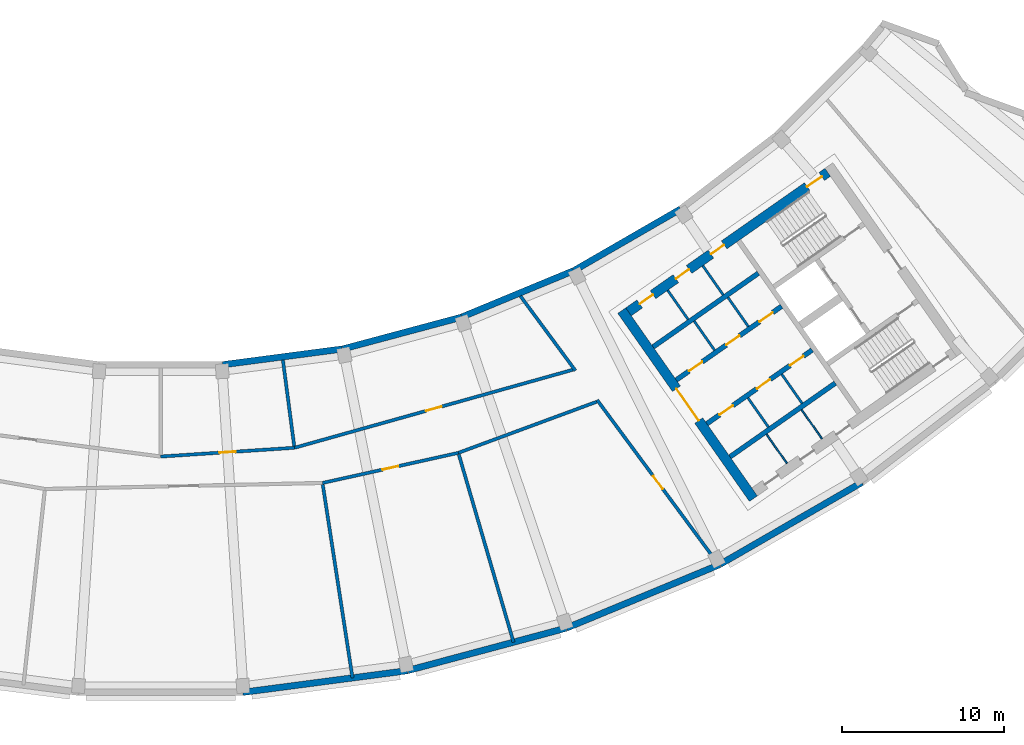
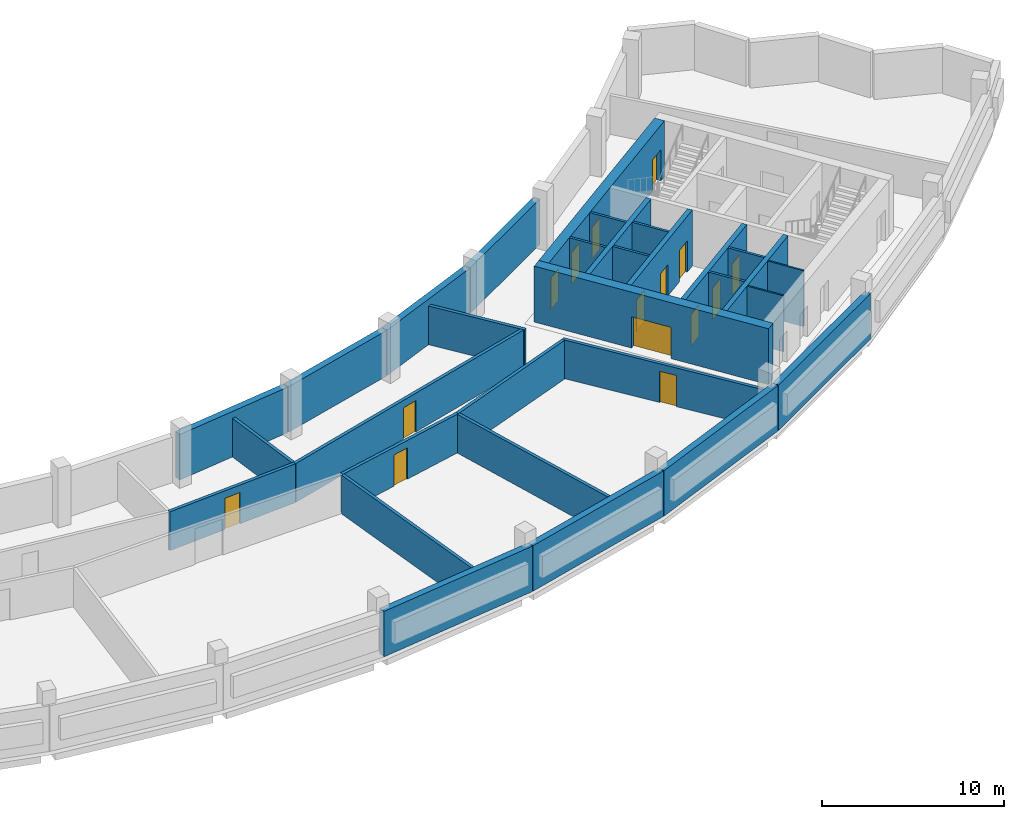
# One storey, part 5 of 11: 31 walls, 15 doors, 15 openings.
"""IFC4 building model written with IfcOpenShell, lengths in metres."""

from ifc_helpers import new_model, si_unit, direction, frame, frame_2d, origin, place, context, subcontext, project, spatial, rectangle, extrude, material, layer, layer_set, type_object, element, fill, save


model = new_model("IFC4")

# Units and contexts
model_context = context("Model", 3, precision=1e-05, world=origin(), true_north=direction((0.0, 1.0)))
body_context = subcontext(model_context, "Body", "Model", "MODEL_VIEW")
ifc_project = project(units=[si_unit("LENGTHUNIT", "METRE"), si_unit("AREAUNIT", "SQUARE_METRE"), si_unit("VOLUMEUNIT", "CUBIC_METRE"), si_unit("PLANEANGLEUNIT", "RADIAN"), si_unit("MASSUNIT", "GRAM", prefix="KILO")], contexts=[model_context])

# Site, building, storey
site_placement = place(None, origin())
site = spatial("IfcSite", under=ifc_project, at=site_placement, CompositionType="ELEMENT")
building_placement = place(site_placement, origin())
building = spatial("IfcBuilding", under=site, at=building_placement, Name="Qamariyya Broadcast Tower", CompositionType="ELEMENT")
storey_placement = place(building_placement, frame((0.0, 0.0, 302.699951171875)))
storey = spatial("IfcBuildingStorey", under=building, at=storey_placement, Name="L73", CompositionType="ELEMENT", Elevation=302.699951171875)

# Wall, opening, door
ifc_material_1 = material(Name="Concrete C60/75", Category="concrete")
ifc_layer_1 = layer(ifc_material_1, 0.60009765625)
ifc_layer_set_1 = layer_set([ifc_layer_1], Name="Core wall 600 mm Concrete C60/75")
wall_type_1 = type_object("IfcWallType", Name="Core wall 600 mm Concrete C60/75", PredefinedType="SHEAR", material=ifc_layer_set_1)
wall_1_placement = place(storey_placement, frame((36.66748046875, -66.005126953125, 0.0), z_axis=(0.0, 0.0, 1.0), x_axis=(-0.573568499524, 0.819157601658, 0.0)))
wall_1 = element("IfcWall", 1, at=wall_1_placement, inside=storey, type_object=wall_type_1, Name="k-E-L73-WA", PredefinedType="SHEAR", context=body_context, shape_type="SweptSolid", body=[
    extrude(rectangle(XDim=14.19970703125, YDim=0.60009765625, at=frame_2d((7.099853515625, 0.0))), origin(), (0.0, 0.0, 1.0), 3.75),
])
opening_1_placement = place(wall_1_placement, frame((5.89990234375, 0.0, 0.0)))
opening_1 = element("IfcOpeningElement", 2, at=opening_1_placement, cuts=wall_1, Name="Opening KD3-E1", PredefinedType="OPENING", context=body_context, shape_type="SweptSolid", body=[
    extrude(rectangle(XDim=2.39990234375, YDim=2.10009765625, at=frame_2d((1.199951171875, 1.050048828125))), frame((0.0, 0.31005859375, 0.0), z_axis=(0.0, -1.0, 0.0), x_axis=(1.0, 0.0, 0.0)), (0.0, 0.0, 1.0), 0.6201171875),
])
ifc_material_2 = material(Name="Steel fire-resisting door leaf", Category="steel")
door_type_1 = type_object("IfcDoorType", Name="Lift lobby door KD3", OperationType="DOUBLE_DOOR_SINGLE_SWING", PredefinedType="DOOR", material=ifc_material_2)
door_1_placement = place(opening_1_placement, origin())
door_1 = element("IfcDoor", 3, at=door_1_placement, inside=storey, type_object=door_type_1, Name="k-E-L73-WA-D1", OperationType="DOUBLE_DOOR_SINGLE_SWING", OverallHeight=2.10009765625, OverallWidth=2.39990234375, PredefinedType="DOOR", context=body_context, shape_type="SweptSolid", body=[
    extrude(rectangle(XDim=2.39990234375, YDim=2.10009765625, at=frame_2d((1.199951171875, 1.050048828125))), frame((0.0, 0.02490234375, 0.0), z_axis=(0.0, -1.0, 0.0), x_axis=(1.0, 0.0, 0.0)), (0.0, 0.0, 1.0), 0.050048828125),
])
fill(opening_1, door_1)

# Wall, openings, doors
wall_2_placement = place(storey_placement, frame((28.940673828125, -54.447021484375, 0.0), z_axis=(0.0, 0.0, 1.0), x_axis=(0.819153391756, 0.573574511963, 0.0)))
wall_2 = element("IfcWall", 4, at=wall_2_placement, inside=storey, type_object=wall_type_1, Name="k-E-L73-WI", PredefinedType="SHEAR", context=body_context, shape_type="SweptSolid", body=[
    extrude(rectangle(XDim=15.04541015625, YDim=0.60009765625, at=frame_2d((7.522705078125, 0.0))), origin(), (0.0, 0.0, 1.0), 3.75),
])
opening_2_placement = place(wall_2_placement, frame((0.85009765625, 0.0, 0.0)))
opening_2 = element("IfcOpeningElement", 5, at=opening_2_placement, cuts=wall_2, Name="Opening KD4-E7", PredefinedType="OPENING", context=body_context, shape_type="SweptSolid", body=[
    extrude(rectangle(XDim=1.0, YDim=2.10009765625, at=frame_2d((0.5, 1.050048828125))), frame((0.0, 0.31005859375, 0.0), z_axis=(0.0, -1.0, 0.0), x_axis=(1.0, 0.0, 0.0)), (0.0, 0.0, 1.0), 0.6201171875),
])
opening_3_placement = place(wall_2_placement, frame((3.574951171875, 0.0, 0.0)))
opening_3 = element("IfcOpeningElement", 6, at=opening_3_placement, cuts=wall_2, Name="Opening KD4-E8", PredefinedType="OPENING", context=body_context, shape_type="SweptSolid", body=[
    extrude(rectangle(XDim=1.0, YDim=2.10009765625, at=frame_2d((0.5, 1.050048828125))), frame((0.0, 0.31005859375, 0.0), z_axis=(0.0, -1.0, 0.0), x_axis=(1.0, 0.0, 0.0)), (0.0, 0.0, 1.0), 0.6201171875),
])
opening_4_placement = place(wall_2_placement, frame((6.22509765625, 0.0, 0.0)))
opening_4 = element("IfcOpeningElement", 7, at=opening_4_placement, cuts=wall_2, Name="Opening KD4-E9", PredefinedType="OPENING", context=body_context, shape_type="SweptSolid", body=[
    extrude(rectangle(XDim=1.0, YDim=2.10009765625, at=frame_2d((0.5, 1.050048828125))), frame((0.0, 0.31005859375, 0.0), z_axis=(0.0, -1.0, 0.0), x_axis=(1.0, 0.0, 0.0)), (0.0, 0.0, 1.0), 0.6201171875),
])
opening_5_placement = place(wall_2_placement, frame((13.495361328125, 0.0, 0.0)))
opening_5 = element("IfcOpeningElement", 8, at=opening_5_placement, cuts=wall_2, Name="Opening KD1-E1", PredefinedType="OPENING", context=body_context, shape_type="SweptSolid", body=[
    extrude(rectangle(XDim=1.10009765625, YDim=2.10009765625, at=frame_2d((0.550048828125, 1.050048828125))), frame((0.0, 0.31005859375, 0.0), z_axis=(0.0, -1.0, 0.0), x_axis=(1.0, 0.0, 0.0)), (0.0, 0.0, 1.0), 0.6201171875),
])
door_type_2 = type_object("IfcDoorType", Name="Riser and plant door KD4", OperationType="SINGLE_SWING_LEFT", PredefinedType="DOOR", material=ifc_material_2)
door_2_placement = place(opening_2_placement, origin())
door_2 = element("IfcDoor", 9, at=door_2_placement, inside=storey, type_object=door_type_2, Name="k-E-L73-WI-D8", OperationType="SINGLE_SWING_RIGHT", OverallHeight=2.10009765625, OverallWidth=1.0, PredefinedType="DOOR", context=body_context, shape_type="SweptSolid", body=[
    extrude(rectangle(XDim=1.0, YDim=2.10009765625, at=frame_2d((0.5, 1.050048828125))), frame((0.0, 0.02490234375, 0.0), z_axis=(0.0, -1.0, 0.0), x_axis=(1.0, 0.0, 0.0)), (0.0, 0.0, 1.0), 0.050048828125),
])
fill(opening_2, door_2)
door_3_placement = place(opening_3_placement, origin())
door_3 = element("IfcDoor", 10, at=door_3_placement, inside=storey, type_object=door_type_2, Name="k-E-L73-WI-D9", OperationType="SINGLE_SWING_LEFT", OverallHeight=2.10009765625, OverallWidth=1.0, PredefinedType="DOOR", context=body_context, shape_type="SweptSolid", body=[
    extrude(rectangle(XDim=1.0, YDim=2.10009765625, at=frame_2d((0.5, 1.050048828125))), frame((0.0, 0.02490234375, 0.0), z_axis=(0.0, -1.0, 0.0), x_axis=(1.0, 0.0, 0.0)), (0.0, 0.0, 1.0), 0.050048828125),
])
fill(opening_3, door_3)
door_4_placement = place(opening_4_placement, origin())
door_4 = element("IfcDoor", 11, at=door_4_placement, inside=storey, type_object=door_type_2, Name="k-E-L73-WI-D10", OperationType="SINGLE_SWING_RIGHT", OverallHeight=2.10009765625, OverallWidth=1.0, PredefinedType="DOOR", context=body_context, shape_type="SweptSolid", body=[
    extrude(rectangle(XDim=1.0, YDim=2.10009765625, at=frame_2d((0.5, 1.050048828125))), frame((0.0, 0.02490234375, 0.0), z_axis=(0.0, -1.0, 0.0), x_axis=(1.0, 0.0, 0.0)), (0.0, 0.0, 1.0), 0.050048828125),
])
fill(opening_4, door_4)
door_type_3 = type_object("IfcDoorType", Name="Stair door KD1", OperationType="SINGLE_SWING_LEFT", PredefinedType="DOOR", material=ifc_material_2)
door_5_placement = place(opening_5_placement, origin())
door_5 = element("IfcDoor", 12, at=door_5_placement, inside=storey, type_object=door_type_3, Name="k-E-L73-WI-D17", OperationType="SINGLE_SWING_RIGHT", OverallHeight=2.10009765625, OverallWidth=1.10009765625, PredefinedType="DOOR", context=body_context, shape_type="SweptSolid", body=[
    extrude(rectangle(XDim=1.10009765625, YDim=2.10009765625, at=frame_2d((0.550048828125, 1.050048828125))), frame((0.0, 0.02490234375, 0.0), z_axis=(0.0, -1.0, 0.0), x_axis=(1.0, 0.0, 0.0)), (0.0, 0.0, 1.0), 0.050048828125),
])
fill(opening_5, door_5)

# Walls
ifc_material_3 = material(Name="Gypsum board partition on steel studs", Category="steel")
ifc_layer_2 = layer(ifc_material_3, 0.14990234375)
ifc_layer_set_2 = layer_set([ifc_layer_2], Name="Gypsum board partition 150 mm")
wall_type_2 = type_object("IfcWallType", Name="Gypsum board partition 150 mm", PredefinedType="PARTITIONING", material=ifc_layer_set_2)
for number, where, z_axis, x_axis, name in (
    (13, (34.26611328125, -56.822021484375, 0.0), (0.0, 0.0, 1.0), (-0.573581496053, 0.819148501424, 0.0), "k-E-L73-NC300"),
    (14, (36.35498046875, -55.359375, 0.0), (0.0, 0.0, 1.0), (-0.573581496053, 0.819148501424, 0.0), "k-E-L73-NC555"),
):
    element("IfcWall", number, at=place(storey_placement, frame(where, z_axis=z_axis, x_axis=x_axis)), inside=storey, type_object=wall_type_2, Name=name, PredefinedType="PARTITIONING", context=body_context, shape_type="SweptSolid", body=[
        extrude(rectangle(XDim=2.2001953125, YDim=0.14990234375, at=frame_2d((1.10009765625, 0.0))), origin(), (0.0, 0.0, 1.0), 3.75),
    ])
for number, where, z_axis, x_axis, name in (
    (15, (36.330810546875, -59.77099609375, 0.0), (0.0, 0.0, 1.0), (0.573633636671, -0.819111989218, 0.0), "k-E-L73-SC300"),
    (16, (38.419677734375, -58.308349609375, 0.0), (0.0, 0.0, 1.0), (0.573633636671, -0.819111989218, 0.0), "k-E-L73-SC555"),
    (17, (32.627197265625, -54.91748046875, 0.0), (0.0, 0.0, 1.0), (-0.573507030513, 0.819200638399, 0.0), "k-E-L73-NP275"),
    (18, (34.798095703125, -53.3974609375, 0.0), (0.0, 0.0, 1.0), (-0.573633636671, 0.819111989218, 0.0), "k-E-L73-NP540"),
):
    element("IfcWall", number, at=place(storey_placement, frame(where, z_axis=z_axis, x_axis=x_axis)), inside=storey, type_object=wall_type_2, Name=name, PredefinedType="PARTITIONING", context=body_context, shape_type="SweptSolid", body=[
        extrude(rectangle(XDim=2.199951171875, YDim=0.14990234375, at=frame_2d((1.10009765625, 0.0))), origin(), (0.0, 0.0, 1.0), 3.75),
    ])

# Wall, openings, doors
ifc_layer_3 = layer(ifc_material_1, 0.300048828125)
ifc_layer_set_3 = layer_set([ifc_layer_3], Name="Lift shaft wall 300 mm Concrete C60/75")
wall_type_3 = type_object("IfcWallType", Name="Lift shaft wall 300 mm Concrete C60/75", PredefinedType="SOLIDWALL", material=ifc_layer_set_3)
wall_3_placement = place(storey_placement, frame((31.89453125, -58.66552734375, 0.0), z_axis=(0.0, 0.0, 1.0), x_axis=(0.819166993208, 0.573555086491, 0.0)))
wall_3 = element("IfcWall", 19, at=wall_3_placement, inside=storey, type_object=wall_type_3, Name="k-E-L73-NF0", PredefinedType="SOLIDWALL", context=body_context, shape_type="SweptSolid", body=[
    extrude(rectangle(XDim=7.9501953125, YDim=0.300048828125, at=frame_2d((3.97509765625, 0.0))), origin(), (0.0, 0.0, 1.0), 3.75),
])
opening_6_placement = place(wall_3_placement, frame((0.96240234375, 0.0, 0.0)))
opening_6 = element("IfcOpeningElement", 20, at=opening_6_placement, cuts=wall_3, Name="Opening KD4-E1", PredefinedType="OPENING", context=body_context, shape_type="SweptSolid", body=[
    extrude(rectangle(XDim=1.0, YDim=2.10009765625, at=frame_2d((0.5, 1.050048828125))), frame((0.0, 0.159912109375, 0.0), z_axis=(0.0, -1.0, 0.0), x_axis=(1.0, 0.0, 0.0)), (0.0, 0.0, 1.0), 0.320068359375),
])
opening_7_placement = place(wall_3_placement, frame((3.77490234375, 0.0, 0.0)))
opening_7 = element("IfcOpeningElement", 21, at=opening_7_placement, cuts=wall_3, Name="Opening KD4-E2", PredefinedType="OPENING", context=body_context, shape_type="SweptSolid", body=[
    extrude(rectangle(XDim=1.0, YDim=2.10009765625, at=frame_2d((0.5, 1.050048828125))), frame((0.0, 0.159912109375, 0.0), z_axis=(0.0, -1.0, 0.0), x_axis=(1.0, 0.0, 0.0)), (0.0, 0.0, 1.0), 0.320068359375),
])
opening_8_placement = place(wall_3_placement, frame((6.28759765625, 0.0, 0.0)))
opening_8 = element("IfcOpeningElement", 22, at=opening_8_placement, cuts=wall_3, Name="Opening KD4-E3", PredefinedType="OPENING", context=body_context, shape_type="SweptSolid", body=[
    extrude(rectangle(XDim=1.0, YDim=2.10009765625, at=frame_2d((0.5, 1.050048828125))), frame((0.0, 0.159912109375, 0.0), z_axis=(0.0, -1.0, 0.0), x_axis=(1.0, 0.0, 0.0)), (0.0, 0.0, 1.0), 0.320068359375),
])
door_6_placement = place(opening_6_placement, origin())
door_6 = element("IfcDoor", 23, at=door_6_placement, inside=storey, type_object=door_type_2, Name="k-E-L73-NF0-D2", OperationType="SINGLE_SWING_RIGHT", OverallHeight=2.10009765625, OverallWidth=1.0, PredefinedType="DOOR", context=body_context, shape_type="SweptSolid", body=[
    extrude(rectangle(XDim=1.0, YDim=2.10009765625, at=frame_2d((0.5, 1.050048828125))), frame((0.0, 0.02490234375, 0.0), z_axis=(0.0, -1.0, 0.0), x_axis=(1.0, 0.0, 0.0)), (0.0, 0.0, 1.0), 0.050048828125),
])
fill(opening_6, door_6)
door_7_placement = place(opening_7_placement, origin())
door_7 = element("IfcDoor", 24, at=door_7_placement, inside=storey, type_object=door_type_2, Name="k-E-L73-NF0-D3", OperationType="SINGLE_SWING_LEFT", OverallHeight=2.10009765625, OverallWidth=1.0, PredefinedType="DOOR", context=body_context, shape_type="SweptSolid", body=[
    extrude(rectangle(XDim=1.0, YDim=2.10009765625, at=frame_2d((0.5, 1.050048828125))), frame((0.0, 0.02490234375, 0.0), z_axis=(0.0, -1.0, 0.0), x_axis=(1.0, 0.0, 0.0)), (0.0, 0.0, 1.0), 0.050048828125),
])
fill(opening_7, door_7)
door_8_placement = place(opening_8_placement, origin())
door_8 = element("IfcDoor", 25, at=door_8_placement, inside=storey, type_object=door_type_2, Name="k-E-L73-NF0-D4", OperationType="SINGLE_SWING_RIGHT", OverallHeight=2.10009765625, OverallWidth=1.0, PredefinedType="DOOR", context=body_context, shape_type="SweptSolid", body=[
    extrude(rectangle(XDim=1.0, YDim=2.10009765625, at=frame_2d((0.5, 1.050048828125))), frame((0.0, 0.02490234375, 0.0), z_axis=(0.0, -1.0, 0.0), x_axis=(1.0, 0.0, 0.0)), (0.0, 0.0, 1.0), 0.050048828125),
])
fill(opening_8, door_8)

# Wall
wall_4_placement = place(storey_placement, frame((30.460693359375, -56.61767578125, 0.0), z_axis=(0.0, 0.0, 1.0), x_axis=(0.819142461705, 0.573590121456, 0.0)))
element("IfcWall", 26, at=wall_4_placement, inside=storey, type_object=wall_type_3, Name="k-E-L73-NB0", PredefinedType="SOLIDWALL", context=body_context, shape_type="SweptSolid", body=[
    extrude(rectangle(XDim=7.949951171875, YDim=0.300048828125, at=frame_2d((3.97509765625, 0.0))), origin(), (0.0, 0.0, 1.0), 3.75),
])

# Wall, openings, doors
wall_5_placement = place(storey_placement, frame((33.787353515625, -61.368896484375, 0.0), z_axis=(0.0, 0.0, 1.0), x_axis=(0.819152564888, 0.573575692858, 0.0)))
wall_5 = element("IfcWall", 27, at=wall_5_placement, inside=storey, type_object=wall_type_3, Name="k-E-L73-SF0", PredefinedType="SOLIDWALL", context=body_context, shape_type="SweptSolid", body=[
    extrude(rectangle(XDim=7.9501953125, YDim=0.300048828125, at=frame_2d((3.97509765625, 0.0))), origin(), (0.0, 0.0, 1.0), 3.75),
])
opening_9_placement = place(wall_5_placement, frame((0.96240234375, 0.0, 0.0)))
opening_9 = element("IfcOpeningElement", 28, at=opening_9_placement, cuts=wall_5, Name="Opening KD4-E4", PredefinedType="OPENING", context=body_context, shape_type="SweptSolid", body=[
    extrude(rectangle(XDim=1.0, YDim=2.10009765625, at=frame_2d((0.5, 1.050048828125))), frame((0.0, 0.159912109375, 0.0), z_axis=(0.0, -1.0, 0.0), x_axis=(1.0, 0.0, 0.0)), (0.0, 0.0, 1.0), 0.320068359375),
])
opening_10_placement = place(wall_5_placement, frame((3.77490234375, 0.0, 0.0)))
opening_10 = element("IfcOpeningElement", 29, at=opening_10_placement, cuts=wall_5, Name="Opening KD4-E5", PredefinedType="OPENING", context=body_context, shape_type="SweptSolid", body=[
    extrude(rectangle(XDim=1.0, YDim=2.10009765625, at=frame_2d((0.5, 1.050048828125))), frame((0.0, 0.159912109375, 0.0), z_axis=(0.0, -1.0, 0.0), x_axis=(1.0, 0.0, 0.0)), (0.0, 0.0, 1.0), 0.320068359375),
])
opening_11_placement = place(wall_5_placement, frame((6.28759765625, 0.0, 0.0)))
opening_11 = element("IfcOpeningElement", 30, at=opening_11_placement, cuts=wall_5, Name="Opening KD4-E6", PredefinedType="OPENING", context=body_context, shape_type="SweptSolid", body=[
    extrude(rectangle(XDim=1.0, YDim=2.10009765625, at=frame_2d((0.5, 1.050048828125))), frame((0.0, 0.159912109375, 0.0), z_axis=(0.0, -1.0, 0.0), x_axis=(1.0, 0.0, 0.0)), (0.0, 0.0, 1.0), 0.320068359375),
])
door_9_placement = place(opening_9_placement, origin())
door_9 = element("IfcDoor", 31, at=door_9_placement, inside=storey, type_object=door_type_2, Name="k-E-L73-SF0-D5", OperationType="SINGLE_SWING_LEFT", OverallHeight=2.10009765625, OverallWidth=1.0, PredefinedType="DOOR", context=body_context, shape_type="SweptSolid", body=[
    extrude(rectangle(XDim=1.0, YDim=2.10009765625, at=frame_2d((0.5, 1.050048828125))), frame((0.0, 0.02490234375, 0.0), z_axis=(0.0, -1.0, 0.0), x_axis=(1.0, 0.0, 0.0)), (0.0, 0.0, 1.0), 0.050048828125),
])
fill(opening_9, door_9)
door_10_placement = place(opening_10_placement, origin())
door_10 = element("IfcDoor", 32, at=door_10_placement, inside=storey, type_object=door_type_2, Name="k-E-L73-SF0-D6", OperationType="SINGLE_SWING_RIGHT", OverallHeight=2.10009765625, OverallWidth=1.0, PredefinedType="DOOR", context=body_context, shape_type="SweptSolid", body=[
    extrude(rectangle(XDim=1.0, YDim=2.10009765625, at=frame_2d((0.5, 1.050048828125))), frame((0.0, 0.02490234375, 0.0), z_axis=(0.0, -1.0, 0.0), x_axis=(1.0, 0.0, 0.0)), (0.0, 0.0, 1.0), 0.050048828125),
])
fill(opening_10, door_10)
door_11_placement = place(opening_11_placement, origin())
door_11 = element("IfcDoor", 33, at=door_11_placement, inside=storey, type_object=door_type_2, Name="k-E-L73-SF0-D7", OperationType="SINGLE_SWING_LEFT", OverallHeight=2.10009765625, OverallWidth=1.0, PredefinedType="DOOR", context=body_context, shape_type="SweptSolid", body=[
    extrude(rectangle(XDim=1.0, YDim=2.10009765625, at=frame_2d((0.5, 1.050048828125))), frame((0.0, 0.02490234375, 0.0), z_axis=(0.0, -1.0, 0.0), x_axis=(1.0, 0.0, 0.0)), (0.0, 0.0, 1.0), 0.050048828125),
])
fill(opening_11, door_11)

# Wall
wall_6_placement = place(storey_placement, frame((35.22119140625, -63.41650390625, 0.0), z_axis=(0.0, 0.0, 1.0), x_axis=(0.819166993208, 0.573555086491, 0.0)))
element("IfcWall", 34, at=wall_6_placement, inside=storey, type_object=wall_type_3, Name="k-E-L73-SB0", PredefinedType="SOLIDWALL", context=body_context, shape_type="SweptSolid", body=[
    extrude(rectangle(XDim=7.9501953125, YDim=0.300048828125, at=frame_2d((3.97509765625, 0.0))), origin(), (0.0, 0.0, 1.0), 3.75),
])

# Wall, opening, door
ifc_material_4 = material(Name="Masonry block wall", Category="masonry")
ifc_layer_4 = layer(ifc_material_4, 0.199951171875)
ifc_layer_set_4 = layer_set([ifc_layer_4], Name="Plant room wall 200 EI 120")
wall_type_4 = type_object("IfcWallType", Name="Plant room wall 200 EI 120", PredefinedType="PARTITIONING", material=ifc_layer_set_4)
wall_7_placement = place(storey_placement, frame((0.0, -63.39990234375, 0.0), z_axis=(0.0, 0.0, 1.0), x_axis=(0.997860193426, 0.065383747038, 0.0)))
wall_7 = element("IfcWall", 35, at=wall_7_placement, inside=storey, type_object=wall_type_4, Name="Partition L73-012", PredefinedType="PARTITIONING", context=body_context, shape_type="SweptSolid", body=[
    extrude(rectangle(XDim=8.293212890625, YDim=0.199951171875, at=frame_2d((4.146484375, 0.0))), origin(), (0.0, 0.0, 1.0), 2.60009765625),
])
opening_12_placement = place(wall_7_placement, frame((3.646484375, 0.0, 0.0)))
opening_12 = element("IfcOpeningElement", 36, at=opening_12_placement, cuts=wall_7, Name="Opening L73-D08", PredefinedType="OPENING", context=body_context, shape_type="SweptSolid", body=[
    extrude(rectangle(XDim=1.0, YDim=2.10009765625, at=frame_2d((0.5, 1.050048828125))), frame((0.0, 0.10986328125, 0.0), z_axis=(0.0, -1.0, 0.0), x_axis=(1.0, 0.0, 0.0)), (0.0, 0.0, 1.0), 0.219970703125),
])
ifc_material_5 = material(Name="Insulated metal door leaf")
door_type_4 = type_object("IfcDoorType", Name="Plant door 1000 x 2100 FD120", OperationType="NOTDEFINED", PredefinedType="DOOR", material=ifc_material_5)
door_12_placement = place(opening_12_placement, origin())
door_12 = element("IfcDoor", 37, at=door_12_placement, inside=storey, type_object=door_type_4, Name="Door L73-D08", OperationType="SINGLE_SWING_RIGHT", OverallHeight=2.10009765625, OverallWidth=1.0, PredefinedType="DOOR", context=body_context, shape_type="SweptSolid", body=[
    extrude(rectangle(XDim=1.0, YDim=2.10009765625, at=frame_2d((0.5, 1.050048828125))), frame((0.0, 0.02490234375, 0.0), z_axis=(0.0, -1.0, 0.0), x_axis=(1.0, 0.0, 0.0)), (0.0, 0.0, 1.0), 0.050048828125),
])
fill(opening_12, door_12)

# Wall
wall_8_placement = place(storey_placement, frame((7.56103515625, -57.430908203125, 0.0), z_axis=(0.0, 0.0, 1.0), x_axis=(0.130485069567, -0.991450274406, 0.0)))
element("IfcWall", 38, at=wall_8_placement, inside=storey, type_object=wall_type_4, Name="Partition L73-014", PredefinedType="PARTITIONING", context=body_context, shape_type="SweptSolid", body=[
    extrude(rectangle(XDim=5.37353515625, YDim=0.199951171875, at=frame_2d((2.686767578125, 0.0))), origin(), (0.0, 0.0, 1.0), 2.60009765625),
])

# Wall, opening, door
wall_9_placement = place(storey_placement, frame((8.275390625, -62.857666015625, 0.0), z_axis=(0.0, 0.0, 1.0), x_axis=(0.96289595911, 0.269872881057, 0.0)))
wall_9 = element("IfcWall", 39, at=wall_9_placement, inside=storey, type_object=wall_type_4, Name="Partition L73-015", PredefinedType="PARTITIONING", context=body_context, shape_type="SweptSolid", body=[
    extrude(rectangle(XDim=17.890380859375, YDim=0.199951171875, at=frame_2d((8.9453125, 0.0))), origin(), (0.0, 0.0, 1.0), 2.60009765625),
])
opening_13_placement = place(wall_9_placement, frame((8.445068359375, 0.0, 0.0)))
opening_13 = element("IfcOpeningElement", 40, at=opening_13_placement, cuts=wall_9, Name="Opening L73-D09", PredefinedType="OPENING", context=body_context, shape_type="SweptSolid", body=[
    extrude(rectangle(XDim=1.0, YDim=2.10009765625, at=frame_2d((0.5, 1.050048828125))), frame((0.0, 0.10986328125, 0.0), z_axis=(0.0, -1.0, 0.0), x_axis=(1.0, 0.0, 0.0)), (0.0, 0.0, 1.0), 0.219970703125),
])
door_13_placement = place(opening_13_placement, origin())
door_13 = element("IfcDoor", 41, at=door_13_placement, inside=storey, type_object=door_type_4, Name="Door L73-D09", OperationType="SINGLE_SWING_RIGHT", OverallHeight=2.10009765625, OverallWidth=1.0, PredefinedType="DOOR", context=body_context, shape_type="SweptSolid", body=[
    extrude(rectangle(XDim=1.0, YDim=2.10009765625, at=frame_2d((0.5, 1.050048828125))), frame((0.0, 0.02490234375, 0.0), z_axis=(0.0, -1.0, 0.0), x_axis=(1.0, 0.0, 0.0)), (0.0, 0.0, 1.0), 0.050048828125),
])
fill(opening_13, door_13)

wall_10_placement = place(storey_placement, frame((18.41455078125, -63.170654296875, 0.0), z_axis=(0.0, 0.0, 1.0), x_axis=(-0.976287067192, -0.216479935408, 0.0)))
wall_10 = element("IfcWall", 42, at=wall_10_placement, inside=storey, type_object=wall_type_4, Name="Partition L73-016", PredefinedType="PARTITIONING", context=body_context, shape_type="SweptSolid", body=[
    extrude(rectangle(XDim=8.607177734375, YDim=0.199951171875, at=frame_2d((4.3037109375, 0.0))), origin(), (0.0, 0.0, 1.0), 2.60009765625),
])
opening_14_placement = place(wall_10_placement, frame((3.803466796875, 0.0, 0.0)))
opening_14 = element("IfcOpeningElement", 43, at=opening_14_placement, cuts=wall_10, Name="Opening L73-D04", PredefinedType="OPENING", context=body_context, shape_type="SweptSolid", body=[
    extrude(rectangle(XDim=1.0, YDim=2.10009765625, at=frame_2d((0.5, 1.050048828125))), frame((0.0, 0.10986328125, 0.0), z_axis=(0.0, -1.0, 0.0), x_axis=(1.0, 0.0, 0.0)), (0.0, 0.0, 1.0), 0.219970703125),
])
door_14_placement = place(opening_14_placement, origin())
door_14 = element("IfcDoor", 44, at=door_14_placement, inside=storey, type_object=door_type_4, Name="Door L73-D04", OperationType="SINGLE_SWING_RIGHT", OverallHeight=2.10009765625, OverallWidth=1.0, PredefinedType="DOOR", context=body_context, shape_type="SweptSolid", body=[
    extrude(rectangle(XDim=1.0, YDim=2.10009765625, at=frame_2d((0.5, 1.050048828125))), frame((0.0, 0.02490234375, 0.0), z_axis=(0.0, -1.0, 0.0), x_axis=(1.0, 0.0, 0.0)), (0.0, 0.0, 1.0), 0.050048828125),
])
fill(opening_14, door_14)

# Walls
wall_11_placement = place(storey_placement, frame((11.867919921875, -77.0927734375, 0.0), z_axis=(0.0, 0.0, 1.0), x_axis=(-0.152143600209, 0.988358399021, 0.0)))
element("IfcWall", 45, at=wall_11_placement, inside=storey, type_object=wall_type_4, Name="Partition L73-017", PredefinedType="PARTITIONING", context=body_context, shape_type="SweptSolid", body=[
    extrude(rectangle(XDim=12.100830078125, YDim=0.199951171875, at=frame_2d((6.05029296875, 0.0))), origin(), (0.0, 0.0, 1.0), 2.60009765625),
])
wall_12_placement = place(storey_placement, frame((18.41455078125, -63.170654296875, 0.0), z_axis=(0.0, 0.0, 1.0), x_axis=(0.938099554291, 0.346365740567, 0.0)))
element("IfcWall", 46, at=wall_12_placement, inside=storey, type_object=wall_type_4, Name="Partition L73-018", PredefinedType="PARTITIONING", context=body_context, shape_type="SweptSolid", body=[
    extrude(rectangle(XDim=9.11328125, YDim=0.199951171875, at=frame_2d((4.556640625, 0.0))), origin(), (0.0, 0.0, 1.0), 2.60009765625),
])
wall_13_placement = place(storey_placement, frame((21.8291015625, -74.884033203125, 0.0), z_axis=(0.0, 0.0, 1.0), x_axis=(-0.279876038728, 0.960036146687, 0.0)))
element("IfcWall", 47, at=wall_13_placement, inside=storey, type_object=wall_type_4, Name="Partition L73-019", PredefinedType="PARTITIONING", context=body_context, shape_type="SweptSolid", body=[
    extrude(rectangle(XDim=12.100830078125, YDim=0.199951171875, at=frame_2d((6.05029296875, 0.0))), origin(), (0.0, 0.0, 1.0), 2.60009765625),
])
wall_14_placement = place(storey_placement, frame((22.251953125, -53.469482421875, 0.0), z_axis=(0.0, 0.0, 1.0), x_axis=(0.593885763016, -0.804549377283, 0.0)))
element("IfcWall", 48, at=wall_14_placement, inside=storey, type_object=wall_type_4, Name="Partition L73-020", PredefinedType="PARTITIONING", context=body_context, shape_type="SweptSolid", body=[
    extrude(rectangle(XDim=5.734375, YDim=0.199951171875, at=frame_2d((2.8671875, 0.0))), origin(), (0.0, 0.0, 1.0), 2.60009765625),
])

# Wall, opening, door
wall_15_placement = place(storey_placement, frame((34.534423828125, -70.109130859375, 0.0), z_axis=(0.0, 0.0, 1.0), x_axis=(-0.593866233023, 0.804563793167, 0.0)))
wall_15 = element("IfcWall", 49, at=wall_15_placement, inside=storey, type_object=wall_type_4, Name="Partition L73-021", PredefinedType="PARTITIONING", context=body_context, shape_type="SweptSolid", body=[
    extrude(rectangle(XDim=12.6904296875, YDim=0.199951171875, at=frame_2d((6.34521484375, 0.0))), origin(), (0.0, 0.0, 1.0), 2.60009765625),
])
opening_15_placement = place(wall_15_placement, frame((5.84521484375, 0.0, 0.0)))
opening_15 = element("IfcOpeningElement", 50, at=opening_15_placement, cuts=wall_15, Name="Opening L73-D05", PredefinedType="OPENING", context=body_context, shape_type="SweptSolid", body=[
    extrude(rectangle(XDim=1.0, YDim=2.10009765625, at=frame_2d((0.5, 1.050048828125))), frame((0.0, 0.10986328125, 0.0), z_axis=(0.0, -1.0, 0.0), x_axis=(1.0, 0.0, 0.0)), (0.0, 0.0, 1.0), 0.219970703125),
])
door_15_placement = place(opening_15_placement, origin())
door_15 = element("IfcDoor", 51, at=door_15_placement, inside=storey, type_object=door_type_4, Name="Door L73-D05", OperationType="SINGLE_SWING_RIGHT", OverallHeight=2.10009765625, OverallWidth=1.0, PredefinedType="DOOR", context=body_context, shape_type="SweptSolid", body=[
    extrude(rectangle(XDim=1.0, YDim=2.10009765625, at=frame_2d((0.5, 1.050048828125))), frame((0.0, 0.02490234375, 0.0), z_axis=(0.0, -1.0, 0.0), x_axis=(1.0, 0.0, 0.0)), (0.0, 0.0, 1.0), 0.050048828125),
])
fill(opening_15, door_15)

# Walls
ifc_material_6 = material(Name="Fire-rated gypsum shaft liner on steel studs", Category="steel")
ifc_layer_5 = layer(ifc_material_6, 0.10009765625)
ifc_layer_set_5 = layer_set([ifc_layer_5], Name="Riser wall 100 mm")
wall_type_5 = type_object("IfcWallType", Name="Riser wall 100 mm", PredefinedType="PLUMBINGWALL", material=ifc_layer_set_5)
wall_16_placement = place(storey_placement, frame((37.47802734375, -62.01953125, 0.0), z_axis=(0.0, 0.0, 1.0), x_axis=(0.573581496053, -0.819148501424, 0.0)))
element("IfcWall", 52, at=wall_16_placement, inside=storey, type_object=wall_type_5, Name="k-E-L73-SP265", PredefinedType="PLUMBINGWALL", context=body_context, shape_type="SweptSolid", body=[
    extrude(rectangle(XDim=2.2001953125, YDim=0.10009765625, at=frame_2d((1.10009765625, 0.0))), origin(), (0.0, 0.0, 1.0), 3.75),
])
wall_17_placement = place(storey_placement, frame((39.64892578125, -60.49951171875, 0.0), z_axis=(0.0, 0.0, 1.0), x_axis=(0.573507030513, -0.819200638399, 0.0)))
element("IfcWall", 53, at=wall_17_placement, inside=storey, type_object=wall_type_5, Name="k-E-L73-SP530", PredefinedType="PLUMBINGWALL", context=body_context, shape_type="SweptSolid", body=[
    extrude(rectangle(XDim=2.199951171875, YDim=0.10009765625, at=frame_2d((1.10009765625, 0.0))), origin(), (0.0, 0.0, 1.0), 3.75),
])
ifc_material_7 = material(Name="Terracotta", Category="masonry")
ifc_layer_6 = layer(ifc_material_7, 0.39990234375)
ifc_layer_set_6 = layer_set([ifc_layer_6], Name="Solid terracotta louvred band wall 400")
wall_type_6 = type_object("IfcWallType", Name="Solid terracotta louvred band wall 400", PredefinedType="SOLIDWALL", material=ifc_layer_set_6)
wall_18_placement = place(storey_placement, frame((25.539794921875, -51.90380859375, 0.0), z_axis=(0.0, 0.0, 1.0), x_axis=(-0.923872151004, -0.382701252414, 0.0)))
element("IfcWall", 54, at=wall_18_placement, inside=storey, type_object=wall_type_6, Name="e-wl-L73-in100", PredefinedType="SOLIDWALL", context=body_context, shape_type="SweptSolid", body=[
    extrude(rectangle(XDim=7.4658203125, YDim=0.39990234375, at=frame_2d((3.73291015625, 0.0))), origin(), (0.0, 0.0, 1.0), 3.050048828125),
])
wall_19_placement = place(storey_placement, frame((32.16162109375, -48.08837890625, 0.0), z_axis=(0.0, 0.0, 1.0), x_axis=(-0.866025463095, -0.499999897272, 0.0)))
element("IfcWall", 55, at=wall_19_placement, inside=storey, type_object=wall_type_6, Name="e-wl-L73-in110", PredefinedType="SOLIDWALL", context=body_context, shape_type="SweptSolid", body=[
    extrude(rectangle(XDim=7.6171875, YDim=0.39990234375, at=frame_2d((3.80859375, 0.0))), origin(), (0.0, 0.0, 1.0), 3.050048828125),
])
wall_20_placement = place(storey_placement, frame((11.23583984375, -56.745361328125, 0.0), z_axis=(0.0, 0.0, 1.0), x_axis=(-0.991442493144, -0.130544179452, 0.0)))
element("IfcWall", 56, at=wall_20_placement, inside=storey, type_object=wall_type_6, Name="e-wl-L73-in80", PredefinedType="SOLIDWALL", context=body_context, shape_type="SweptSolid", body=[
    extrude(rectangle(XDim=7.4658203125, YDim=0.39990234375, at=frame_2d((3.73291015625, 0.0))), origin(), (0.0, 0.0, 1.0), 3.050048828125),
])
wall_21_placement = place(storey_placement, frame((18.61962890625, -54.77392578125, 0.0), z_axis=(0.0, 0.0, 1.0), x_axis=(-0.965927307138, -0.258813518437, 0.0)))
element("IfcWall", 57, at=wall_21_placement, inside=storey, type_object=wall_type_6, Name="e-wl-L73-in90", PredefinedType="SOLIDWALL", context=body_context, shape_type="SweptSolid", body=[
    extrude(rectangle(XDim=7.6171875, YDim=0.39990234375, at=frame_2d((3.80859375, 0.0))), origin(), (0.0, 0.0, 1.0), 3.050048828125),
])
wall_22_placement = place(storey_placement, frame((25.09716796875, -74.01171875, 0.0), z_axis=(0.0, 0.0, 1.0), x_axis=(0.923877211741, 0.382689035152, 0.0)))
element("IfcWall", 58, at=wall_22_placement, inside=storey, type_object=wall_type_6, Name="e-wl-L73-out100", PredefinedType="SOLIDWALL", context=body_context, shape_type="SweptSolid", body=[
    extrude(rectangle(XDim=10.2724609375, YDim=0.39990234375, at=frame_2d((5.13623046875, 0.0))), origin(), (0.0, 0.0, 1.0), 3.050048828125),
])
wall_23_placement = place(storey_placement, frame((34.608642578125, -70.06494140625, 0.0), z_axis=(0.0, 0.0, 1.0), x_axis=(0.866019679839, 0.500009914033, 0.0)))
element("IfcWall", 59, at=wall_23_placement, inside=storey, type_object=wall_type_6, Name="e-wl-L73-out110", PredefinedType="SOLIDWALL", context=body_context, shape_type="SweptSolid", body=[
    extrude(rectangle(XDim=10.120849609375, YDim=0.39990234375, at=frame_2d((5.060546875, 0.0))), origin(), (0.0, 0.0, 1.0), 3.050048828125),
])
wall_24_placement = place(storey_placement, frame((5.08642578125, -77.985595703125, 0.0), z_axis=(0.0, 0.0, 1.0), x_axis=(0.991444909321, 0.130525828027, 0.0)))
element("IfcWall", 60, at=wall_24_placement, inside=storey, type_object=wall_type_6, Name="e-wl-L73-out80", PredefinedType="SOLIDWALL", context=body_context, shape_type="SweptSolid", body=[
    extrude(rectangle(XDim=10.2724609375, YDim=0.39990234375, at=frame_2d((5.13623046875, 0.0))), origin(), (0.0, 0.0, 1.0), 3.050048828125),
])
wall_25_placement = place(storey_placement, frame((15.295166015625, -76.634765625, 0.0), z_axis=(0.0, 0.0, 1.0), x_axis=(0.965928778267, 0.258808027921, 0.0)))
element("IfcWall", 61, at=wall_25_placement, inside=storey, type_object=wall_type_6, Name="e-wl-L73-out90", PredefinedType="SOLIDWALL", context=body_context, shape_type="SweptSolid", body=[
    extrude(rectangle(XDim=10.120849609375, YDim=0.39990234375, at=frame_2d((5.060546875, 0.0))), origin(), (0.0, 0.0, 1.0), 3.050048828125),
])

save(model, "model.ifc")
